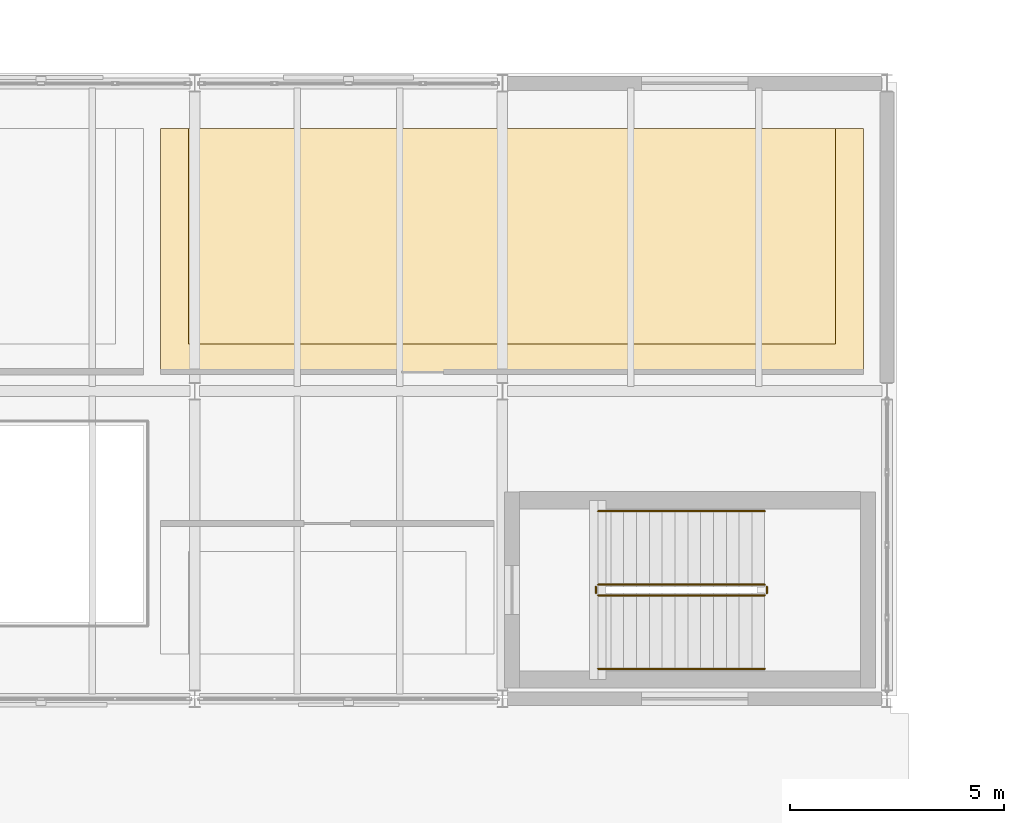
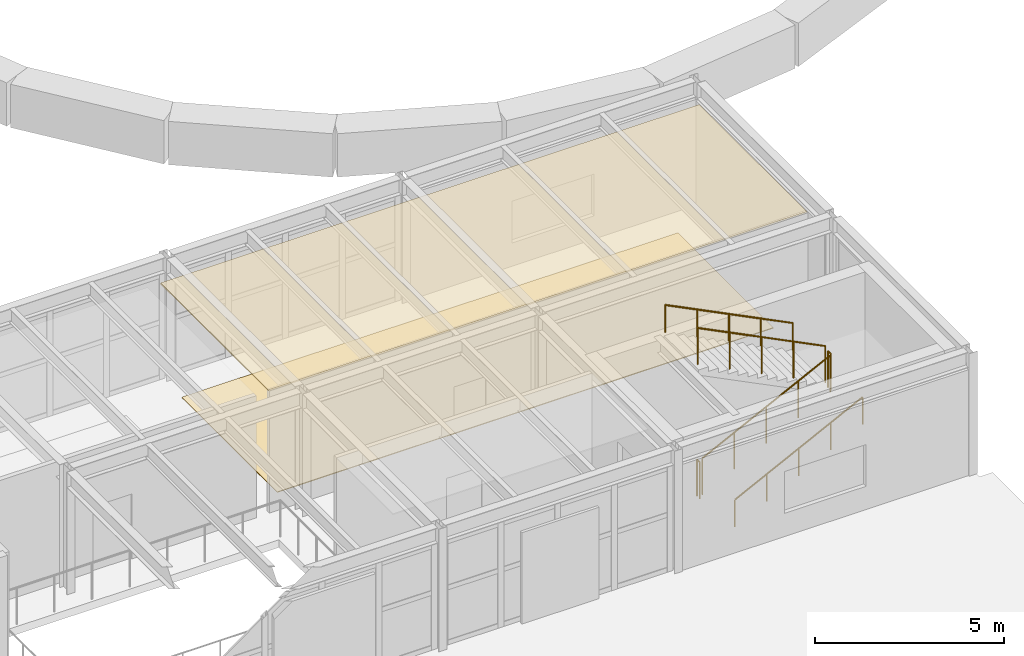
# One storey, part 37 of 37: 6 railings, 2 coverings.
"""IFC4 building model written with IfcOpenShell, lengths in metres."""

from ifc_helpers import new_model, si_unit, direction, frame, origin, origin_2d, place, context, subcontext, project, spatial, polyline, circle, outline, extrude, material, layer, layer_set, type_object, element, save


model = new_model("IFC4")

# Units and contexts
model_context = context("Model", 3, precision=1e-05, world=origin(), true_north=direction((0.0, 1.0)))
body_context = subcontext(model_context, "Body", "Model", "MODEL_VIEW")
ifc_project = project(units=[si_unit("LENGTHUNIT", "METRE"), si_unit("AREAUNIT", "SQUARE_METRE"), si_unit("VOLUMEUNIT", "CUBIC_METRE"), si_unit("PLANEANGLEUNIT", "RADIAN"), si_unit("MASSUNIT", "GRAM", prefix="KILO")], contexts=[model_context])

# Site, building, storey
site_placement = place(None, origin())
site = spatial("IfcSite", under=ifc_project, at=site_placement, CompositionType="ELEMENT")
building_placement = place(site_placement, origin())
building = spatial("IfcBuilding", under=site, at=building_placement, Name="Kandorven Conservatory and Botanical Research Centre", CompositionType="ELEMENT")
storey_placement = place(building_placement, frame((0.0, 0.0, 9.0)))
storey = spatial("IfcBuildingStorey", under=building, at=storey_placement, Name="L02", CompositionType="ELEMENT", Elevation=9.0)

# Coverings
ifc_material_1 = material(Name="Perforated mineral-fibre acoustic ceiling tile", Category="gypsum")
ifc_layer_1 = layer(ifc_material_1, 0.0400390625)
ifc_layer_set_1 = layer_set([ifc_layer_1], Name="Perforated mineral-fibre acoustic ceiling tile")
covering_type_1 = type_object("IfcCoveringType", Name="Cov_Ceiling_1", PredefinedType="CEILING", material=ifc_layer_set_1)
covering_1_placement = place(storey_placement, frame((0.0, 0.0, 3.89990234375)))
element("IfcCovering", 1, at=covering_1_placement, inside=storey, type_object=covering_type_1, Name="Suspended acoustic ceiling CLG-01 (Botanical Teaching Studio and Herbarium Workshop)", PredefinedType="CEILING", context=body_context, shape_type="SweptSolid", body=[
    extrude(outline(polyline([(70.0, 20.85009765625), (86.449951171875, 20.85009765625), (86.449951171875, 26.550048828125), (70.0, 26.550048828125), (70.0, 20.85009765625)])), origin(), (0.0, 0.0, 1.0), 0.0400390625),
])
ifc_material_2 = material(Name="Honed Kota stone and epoxy laboratory flooring", Category="masonry")
ifc_layer_2 = layer(ifc_material_2, 0.02490234375)
ifc_layer_set_2 = layer_set([ifc_layer_2], Name="Honed Kota stone and epoxy laboratory flooring")
covering_type_2 = type_object("IfcCoveringType", Name="Cov_Flooring_1", PredefinedType="FLOORING", material=ifc_layer_set_2)
covering_2_placement = place(storey_placement, origin())
element("IfcCovering", 2, at=covering_2_placement, inside=storey, type_object=covering_type_2, Name="Floor finish FLR-01 (Botanical Teaching Studio and Herbarium Workshop)", PredefinedType="FLOORING", context=body_context, shape_type="SweptSolid", body=[
    extrude(outline(polyline([(70.64990234375, 21.5), (85.800048828125, 21.5), (85.800048828125, 26.550048828125), (70.64990234375, 26.550048828125), (70.64990234375, 21.5)])), origin(), (0.0, 0.0, 1.0), 0.02490234375),
])

# Railings
ifc_material_3 = material(Name="Steel S355 (IS 2062 E350)", Category="steel")
railing_type_1 = type_object("IfcRailingType", Name="StairGuard_1150", PredefinedType="BALUSTRADE", material=ifc_material_3)
railing_1_placement = place(storey_placement, frame((80.239990234375, 15.6201171875, 0.14990234375)))
element("IfcRailing", 3, at=railing_1_placement, inside=storey, type_object=railing_type_1, Name="L02 ST-V3B stair guard 1", PredefinedType="BALUSTRADE", context=body_context, shape_type="SweptSolid", body=[
    extrude(circle(Radius=0.02392578125, at=origin_2d()), frame((0.0, 0.0, 1.17578125), z_axis=(0.894404793364, 0.0, 0.447258387967), x_axis=(0.0, 1.0, 0.0)), (0.0, 0.0, 1.0), 4.3603515625),
    extrude(circle(Radius=0.02099609375, at=origin_2d()), origin(), (0.0, 0.0, 1.0), 1.15185546875),
    extrude(circle(Radius=0.02099609375, at=origin_2d()), frame((0.97509765625, 0.0, 0.487548828125)), (0.0, 0.0, 1.0), 1.15185546875),
    extrude(circle(Radius=0.02099609375, at=origin_2d()), frame((1.949951171875, 0.0, 0.97509765625)), (0.0, 0.0, 1.0), 1.15185546875),
    extrude(circle(Radius=0.02099609375, at=origin_2d()), frame((2.9248046875, 0.0, 1.462646484375)), (0.0, 0.0, 1.0), 1.15185546875),
    extrude(circle(Radius=0.02099609375, at=origin_2d()), frame((3.89990234375, 0.0, 1.9501953125)), (0.0, 0.0, 1.0), 1.15185546875),
])
railing_2_placement = place(storey_placement, frame((84.18994140625, 15.669921875, 2.10009765625)))
element("IfcRailing", 4, at=railing_2_placement, inside=storey, type_object=railing_type_1, Name="L02 ST-V3B stair guard 2", PredefinedType="BALUSTRADE", context=body_context, shape_type="SweptSolid", body=[
    extrude(circle(Radius=0.02392578125, at=origin_2d()), frame((0.0, 0.0, 1.17578125), z_axis=(0.0, 1.0, 0.0), x_axis=(-1.0, 0.0, 0.0)), (0.0, 0.0, 1.0), 0.150146484375),
    extrude(circle(Radius=0.02099609375, at=origin_2d()), origin(), (0.0, 0.0, 1.0), 1.15185546875),
    extrude(circle(Radius=0.02099609375, at=origin_2d()), frame((0.0, 0.150146484375, 0.0)), (0.0, 0.0, 1.0), 1.15185546875),
])
railing_3_placement = place(storey_placement, frame((84.139892578125, 15.8701171875, 2.25)))
element("IfcRailing", 5, at=railing_3_placement, inside=storey, type_object=railing_type_1, Name="L02 ST-V3B stair guard 3", PredefinedType="BALUSTRADE", context=body_context, shape_type="SweptSolid", body=[
    extrude(circle(Radius=0.02392578125, at=origin_2d()), frame((0.0, 0.0, 1.17578125), z_axis=(-0.894427191, 0.0, 0.4472135955), x_axis=(0.0, -1.0, 0.0)), (0.0, 0.0, 1.0), 4.360107421875),
    extrude(circle(Radius=0.02099609375, at=origin_2d()), origin(), (0.0, 0.0, 1.0), 1.15185546875),
    extrude(circle(Radius=0.02099609375, at=origin_2d()), frame((-0.97509765625, 0.0, 0.487548828125)), (0.0, 0.0, 1.0), 1.15185546875),
    extrude(circle(Radius=0.02099609375, at=origin_2d()), frame((-1.949951171875, 0.0, 0.97509765625)), (0.0, 0.0, 1.0), 1.15185546875),
    extrude(circle(Radius=0.02099609375, at=origin_2d()), frame((-2.9248046875, 0.0, 1.46240234375)), (0.0, 0.0, 1.0), 1.15185546875),
    extrude(circle(Radius=0.02099609375, at=origin_2d()), frame((-3.89990234375, 0.0, 1.949951171875)), (0.0, 0.0, 1.0), 1.15185546875),
])
railing_4_placement = place(storey_placement, frame((80.18994140625, 15.669921875, 0.0)))
element("IfcRailing", 6, at=railing_4_placement, inside=storey, type_object=railing_type_1, Name="L02 ST-V3B stair guard 4", PredefinedType="BALUSTRADE", context=body_context, shape_type="SweptSolid", body=[
    extrude(circle(Radius=0.02392578125, at=origin_2d()), frame((0.0, 0.0, 1.17578125), z_axis=(0.0, 1.0, 0.0), x_axis=(-1.0, 0.0, 0.0)), (0.0, 0.0, 1.0), 0.150146484375),
    extrude(circle(Radius=0.02099609375, at=origin_2d()), origin(), (0.0, 0.0, 1.0), 1.15185546875),
    extrude(circle(Radius=0.02099609375, at=origin_2d()), frame((0.0, 0.150146484375, 0.0)), (0.0, 0.0, 1.0), 1.15185546875),
])
ifc_material_4 = material(Name="Steel S355 (IS 2062 E350)", Category="steel")
railing_type_2 = type_object("IfcRailingType", Name="StairHandrail_900", PredefinedType="HANDRAIL", material=ifc_material_4)
railing_5_placement = place(storey_placement, frame((80.239990234375, 13.89990234375, 0.14990234375)))
element("IfcRailing", 7, at=railing_5_placement, inside=storey, type_object=railing_type_2, Name="L02 ST-V3B stair handrail 1", PredefinedType="HANDRAIL", context=body_context, shape_type="SweptSolid", body=[
    extrude(circle(Radius=0.02392578125, at=origin_2d()), frame((0.0, 0.0, 0.8759765625), z_axis=(0.894404793364, 0.0, 0.447258387967), x_axis=(0.0, 1.0, 0.0)), (0.0, 0.0, 1.0), 4.3603515625),
    extrude(circle(Radius=0.02099609375, at=origin_2d()), origin(), (0.0, 0.0, 1.0), 0.851806640625),
    extrude(circle(Radius=0.02099609375, at=origin_2d()), frame((0.97509765625, 0.0, 0.487548828125)), (0.0, 0.0, 1.0), 0.851806640625),
    extrude(circle(Radius=0.02099609375, at=origin_2d()), frame((1.949951171875, 0.0, 0.97509765625)), (0.0, 0.0, 1.0), 0.851806640625),
    extrude(circle(Radius=0.02099609375, at=origin_2d()), frame((2.9248046875, 0.0, 1.462646484375)), (0.0, 0.0, 1.0), 0.851806640625),
    extrude(circle(Radius=0.02099609375, at=origin_2d()), frame((3.89990234375, 0.0, 1.9501953125)), (0.0, 0.0, 1.0), 0.851806640625),
])
railing_6_placement = place(storey_placement, frame((84.139892578125, 17.590087890625, 2.25)))
element("IfcRailing", 8, at=railing_6_placement, inside=storey, type_object=railing_type_2, Name="L02 ST-V3B stair handrail 2", PredefinedType="HANDRAIL", context=body_context, shape_type="SweptSolid", body=[
    extrude(circle(Radius=0.02392578125, at=origin_2d()), frame((0.0, 0.0, 0.8759765625), z_axis=(-0.894427191, 0.0, 0.4472135955), x_axis=(0.0, -1.0, 0.0)), (0.0, 0.0, 1.0), 4.360107421875),
    extrude(circle(Radius=0.02099609375, at=origin_2d()), origin(), (0.0, 0.0, 1.0), 0.851806640625),
    extrude(circle(Radius=0.02099609375, at=origin_2d()), frame((-0.97509765625, 0.0, 0.487548828125)), (0.0, 0.0, 1.0), 0.851806640625),
    extrude(circle(Radius=0.02099609375, at=origin_2d()), frame((-1.949951171875, 0.0, 0.97509765625)), (0.0, 0.0, 1.0), 0.851806640625),
    extrude(circle(Radius=0.02099609375, at=origin_2d()), frame((-2.9248046875, 0.0, 1.46240234375)), (0.0, 0.0, 1.0), 0.851806640625),
    extrude(circle(Radius=0.02099609375, at=origin_2d()), frame((-3.89990234375, 0.0, 1.949951171875)), (0.0, 0.0, 1.0), 0.851806640625),
])

save(model, "model.ifc")
